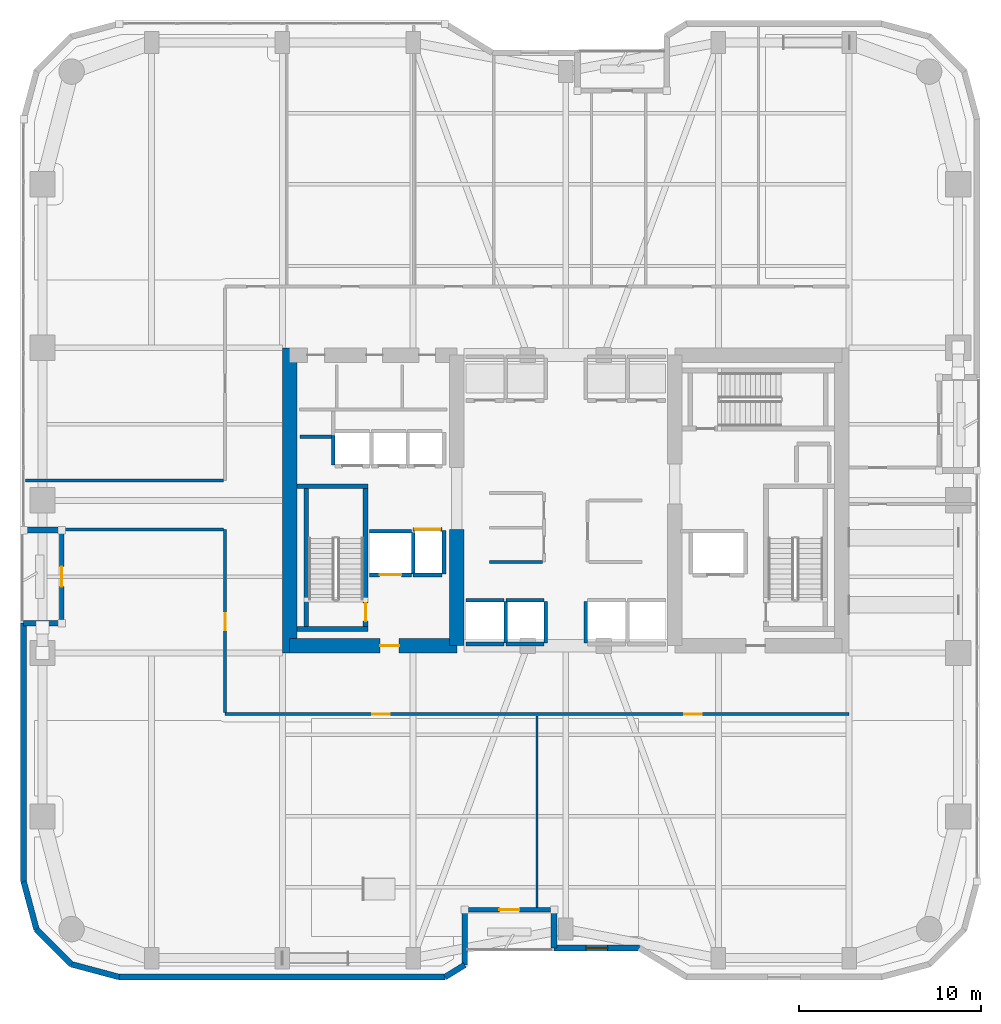
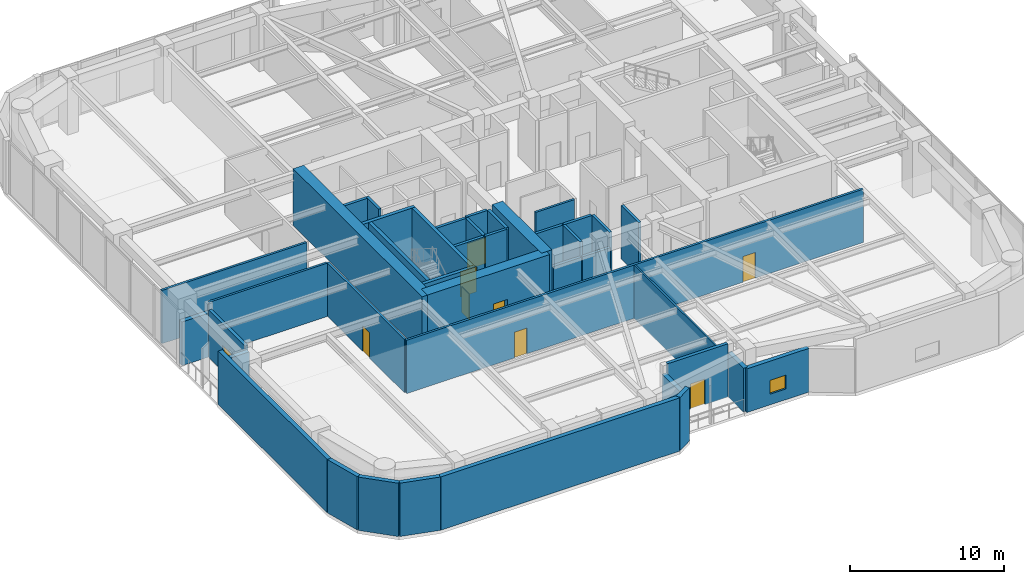
# One storey, part 14 of 23: 41 walls, 9 doors, 1 window, 10 openings.
"""IFC4 building model written with IfcOpenShell, lengths in metres."""

from ifc_helpers import new_model, si_unit, direction, frame, frame_2d, origin, place, context, subcontext, project, spatial, rectangle, extrude, material, layer, layer_set, type_object, element, fill, save


model = new_model("IFC4")

# Units and contexts
model_context = context("Model", 3, precision=1e-05, world=origin(), true_north=direction((0.0, 1.0)))
body_context = subcontext(model_context, "Body", "Model", "MODEL_VIEW")
ifc_project = project(units=[si_unit("LENGTHUNIT", "METRE"), si_unit("AREAUNIT", "SQUARE_METRE"), si_unit("VOLUMEUNIT", "CUBIC_METRE"), si_unit("PLANEANGLEUNIT", "RADIAN"), si_unit("MASSUNIT", "GRAM", prefix="KILO")], contexts=[model_context])

# Site, building, storey
site_placement = place(None, origin())
site = spatial("IfcSite", under=ifc_project, at=site_placement, CompositionType="ELEMENT")
building_placement = place(site_placement, origin())
building = spatial("IfcBuilding", under=site, at=building_placement, Name="Kiyonajd Concourse Tower", CompositionType="ELEMENT")
storey_placement = place(building_placement, frame((0.0, 0.0, 120.89990234375)))
storey = spatial("IfcBuildingStorey", under=building, at=storey_placement, Name="L31", CompositionType="ELEMENT", Elevation=120.89990234375)

# Walls
ifc_material_1 = material(Name="Concrete C70/85", Category="concrete")
ifc_layer_1 = layer(ifc_material_1, 0.800048828125)
ifc_layer_set_1 = layer_set([ifc_layer_1], Name="Concrete C70/85")
wall_type_1 = type_object("IfcWallType", Name="WL-CORE-800", PredefinedType="SHEAR", material=ifc_layer_set_1)
wall_1_placement = place(storey_placement, frame((32.800048828125, 27.60009765625, 0.0), z_axis=(0.0, 0.0, 1.0), x_axis=(0.0, 1.0, 0.0)))
element("IfcWall", 1, at=wall_1_placement, inside=storey, type_object=wall_type_1, Name="L31 West Core Outer Shear Wall", PredefinedType="SHEAR", context=body_context, shape_type="SweptSolid", body=[
    extrude(rectangle(XDim=16.7998046875, YDim=0.800048828125, at=frame_2d((8.39990234375, 0.0))), origin(), (0.0, 0.0, 1.0), 4.5),
])
wall_2_placement = place(storey_placement, frame((42.0, 28.0, 0.0), z_axis=(0.0, 0.0, 1.0), x_axis=(0.0, 1.0, 0.0)))
element("IfcWall", 2, at=wall_2_placement, inside=storey, type_object=wall_type_1, Name="L31 West Core Inner South Shear Wall", PredefinedType="SHEAR", context=body_context, shape_type="SweptSolid", body=[
    extrude(rectangle(XDim=6.39990234375, YDim=0.800048828125, at=frame_2d((3.199951171875, 0.0))), origin(), (0.0, 0.0, 1.0), 4.5),
])

# Wall, opening, door
wall_3_placement = place(storey_placement, frame((32.800048828125, 28.0, 0.0), z_axis=(0.0, 0.0, 1.0), x_axis=(1.0, 0.0, 0.0)))
wall_3 = element("IfcWall", 3, at=wall_3_placement, inside=storey, type_object=wall_type_1, Name="L31 West Core South Shear Wall", PredefinedType="SHEAR", context=body_context, shape_type="SweptSolid", body=[
    extrude(rectangle(XDim=9.199951171875, YDim=0.800048828125, at=frame_2d((4.60009765625, 0.0))), origin(), (0.0, 0.0, 1.0), 4.5),
])
opening_1_placement = place(wall_3_placement, frame((4.97509765625, 0.0, 0.0)))
opening_1 = element("IfcOpeningElement", 4, at=opening_1_placement, cuts=wall_3, Name="Opening DF5", PredefinedType="OPENING", context=body_context, shape_type="SweptSolid", body=[
    extrude(rectangle(XDim=1.050048828125, YDim=2.0400390625, at=frame_2d((0.52490234375, 1.02001953125))), frame((0.0, 0.409912109375, 0.0), z_axis=(0.0, -1.0, 0.0), x_axis=(1.0, 0.0, 0.0)), (0.0, 0.0, 1.0), 0.820068359375),
])
ifc_material_2 = material(Name="Brushed Stainless Steel Cab Assembly", Category="steel")
door_type_1 = type_object("IfcDoorType", Name="DR-FD45-1050", OperationType="NOTDEFINED", PredefinedType="DOOR", material=ifc_material_2)
door_1_placement = place(opening_1_placement, origin())
door_1 = element("IfcDoor", 5, at=door_1_placement, inside=storey, type_object=door_type_1, Name="L31 Firefighting Lift Lobby W Smoke Door", OperationType="SINGLE_SWING_LEFT", OverallHeight=2.0400390625, OverallWidth=1.050048828125, PredefinedType="DOOR", context=body_context, shape_type="SweptSolid", body=[
    extrude(rectangle(XDim=1.050048828125, YDim=2.0400390625, at=frame_2d((0.52490234375, 1.02001953125))), frame((0.0, 0.02490234375, 0.0), z_axis=(0.0, -1.0, 0.0), x_axis=(1.0, 0.0, 0.0)), (0.0, 0.0, 1.0), 0.050048828125),
])
fill(opening_1, door_1)

# Walls
ifc_material_3 = material(Name="Precast concrete C50/60", Category="concrete")
ifc_layer_2 = layer(ifc_material_3, 0.320068359375)
ifc_layer_set_2 = layer_set([ifc_layer_2], Name="Precast concrete C50/60")
wall_type_2 = type_object("IfcWallType", Name="WL-EXT-320", PredefinedType="SOLIDWALL", material=ifc_layer_set_2)
wall_4_placement = place(storey_placement, frame((18.866455078125, 12.3828125, 0.0), z_axis=(0.0, 0.0, 1.0), x_axis=(-0.25869736047, 0.965958423373, 0.0)))
element("IfcWall", 6, at=wall_4_placement, inside=storey, type_object=wall_type_2, Name="L31 Exterior Concrete Frame Wall 00", PredefinedType="SOLIDWALL", context=body_context, shape_type="SweptSolid", body=[
    extrude(rectangle(XDim=2.731201171875, YDim=0.320068359375, at=frame_2d((1.36572265625, 0.0))), origin(), (0.0, 0.0, 1.0), 4.239990234375),
])
wall_5_placement = place(storey_placement, frame((18.159912109375, 15.02099609375, 0.0), z_axis=(0.0, 0.0, 1.0), x_axis=(0.0, 1.0, 0.0)))
element("IfcWall", 7, at=wall_5_placement, inside=storey, type_object=wall_type_2, Name="L31 Exterior Concrete Frame Wall 01", PredefinedType="SOLIDWALL", context=body_context, shape_type="SweptSolid", body=[
    extrude(rectangle(XDim=14.218994140625, YDim=0.320068359375, at=frame_2d((7.109375, 0.0))), origin(), (0.0, 0.0, 1.0), 4.239990234375),
])
for number, where, z_axis, x_axis, name in (
    (8, (18.159912109375, 29.239990234375, 0.0), (0.0, 0.0, 1.0), (1.0, 0.0, 0.0), "L31 Exterior Concrete Frame Wall 02"),
    (9, (20.260009765625, 34.360107421875, 0.0), (0.0, 0.0, 1.0), (-1.0, 0.0, 0.0), "L31 Exterior Concrete Frame Wall 04"),
):
    element("IfcWall", number, at=place(storey_placement, frame(where, z_axis=z_axis, x_axis=x_axis)), inside=storey, type_object=wall_type_2, Name=name, PredefinedType="SOLIDWALL", context=body_context, shape_type="SweptSolid", body=[
        extrude(rectangle(XDim=2.10009765625, YDim=0.320068359375, at=frame_2d((1.050048828125, 0.0))), origin(), (0.0, 0.0, 1.0), 3.47509765625),
    ])

# Wall, opening, window
wall_6_placement = place(storey_placement, frame((52.04541015625, 11.360107421875, 0.0), z_axis=(0.0, 0.0, 1.0), x_axis=(-1.0, 0.0, 0.0)))
wall_6 = element("IfcWall", 10, at=wall_6_placement, inside=storey, type_object=wall_type_2, Name="L31 Exterior Concrete Frame Wall 30", PredefinedType="SOLIDWALL", context=body_context, shape_type="SweptSolid", body=[
    extrude(rectangle(XDim=4.685302734375, YDim=0.320068359375, at=frame_2d((2.3427734375, 0.0))), origin(), (0.0, 0.0, 1.0), 3.47509765625),
])
opening_2_placement = place(wall_6_placement, frame((1.742919921875, 0.0, 0.85009765625)))
opening_2 = element("IfcOpeningElement", 11, at=opening_2_placement, cuts=wall_6, Name="Opening WN3", PredefinedType="OPENING", context=body_context, shape_type="SweptSolid", body=[
    extrude(rectangle(XDim=1.199951171875, YDim=1.10009765625, at=frame_2d((0.60009765625, 0.550048828125))), frame((0.0, 0.169921875, 0.0), z_axis=(0.0, -1.0, 0.0), x_axis=(1.0, 0.0, 0.0)), (0.0, 0.0, 1.0), 0.340087890625),
])
ifc_material_4 = material(Name="Double Low-E Insulated Glass", Category="glass")
window_type = type_object("IfcWindowType", Name="WN-VIS-1200x1100", PartitioningType="SINGLE_PANEL", PredefinedType="WINDOW", material=ifc_material_4)
window_placement = place(opening_2_placement, origin())
window = element("IfcWindow", 12, at=window_placement, inside=storey, type_object=window_type, Name="L31 Modular Facade Vision Window 30", OverallHeight=1.10009765625, OverallWidth=1.199951171875, PartitioningType="SINGLE_PANEL", PredefinedType="WINDOW", context=body_context, shape_type="SweptSolid", body=[
    extrude(rectangle(XDim=1.199951171875, YDim=1.10009765625, at=frame_2d((0.60009765625, 0.550048828125))), frame((0.0, 0.030029296875, 0.0), z_axis=(0.0, -1.0, 0.0), x_axis=(1.0, 0.0, 0.0)), (0.0, 0.0, 1.0), 0.06005859375),
])
fill(opening_2, window)

# Walls
wall_7_placement = place(storey_placement, frame((47.360107421875, 11.360107421875, 0.0), z_axis=(0.0, 0.0, 1.0), x_axis=(0.0, 1.0, 0.0)))
element("IfcWall", 13, at=wall_7_placement, inside=storey, type_object=wall_type_2, Name="L31 Exterior Concrete Frame Wall 31", PredefinedType="SOLIDWALL", context=body_context, shape_type="SweptSolid", body=[
    extrude(rectangle(XDim=2.099853515625, YDim=0.320068359375, at=frame_2d((1.0498046875, 0.0))), origin(), (0.0, 0.0, 1.0), 3.47509765625),
])
wall_8_placement = place(storey_placement, frame((42.43994140625, 13.4599609375, 0.0), z_axis=(0.0, 0.0, 1.0), x_axis=(0.0, -1.0, 0.0)))
element("IfcWall", 14, at=wall_8_placement, inside=storey, type_object=wall_type_2, Name="L31 Exterior Concrete Frame Wall 33", PredefinedType="SOLIDWALL", context=body_context, shape_type="SweptSolid", body=[
    extrude(rectangle(XDim=3.032470703125, YDim=0.320068359375, at=frame_2d((1.51611328125, 0.0))), origin(), (0.0, 0.0, 1.0), 3.47509765625),
])
wall_9_placement = place(storey_placement, frame((42.43994140625, 10.427490234375, 0.0), z_axis=(0.0, 0.0, 1.0), x_axis=(-0.851776724646, -0.523904964045, 0.0)))
element("IfcWall", 15, at=wall_9_placement, inside=storey, type_object=wall_type_2, Name="L31 Exterior Concrete Frame Wall 34", PredefinedType="SOLIDWALL", context=body_context, shape_type="SweptSolid", body=[
    extrude(rectangle(XDim=1.274169921875, YDim=0.320068359375, at=frame_2d((0.63720703125, 0.0))), origin(), (0.0, 0.0, 1.0), 4.239990234375),
])
wall_10_placement = place(storey_placement, frame((41.354736328125, 9.760009765625, 0.0), z_axis=(0.0, 0.0, 1.0), x_axis=(-1.0, 0.0, 0.0)))
element("IfcWall", 16, at=wall_10_placement, inside=storey, type_object=wall_type_2, Name="L31 Exterior Concrete Frame Wall 35", PredefinedType="SOLIDWALL", context=body_context, shape_type="SweptSolid", body=[
    extrude(rectangle(XDim=17.93359375, YDim=0.320068359375, at=frame_2d((8.966796875, 0.0))), origin(), (0.0, 0.0, 1.0), 4.239990234375),
])
wall_11_placement = place(storey_placement, frame((23.421142578125, 9.760009765625, 0.0), z_axis=(0.0, 0.0, 1.0), x_axis=(-0.965964405026, 0.25867502435, 0.0)))
element("IfcWall", 17, at=wall_11_placement, inside=storey, type_object=wall_type_2, Name="L31 Exterior Concrete Frame Wall 36", PredefinedType="SOLIDWALL", context=body_context, shape_type="SweptSolid", body=[
    extrude(rectangle(XDim=2.7314453125, YDim=0.320068359375, at=frame_2d((1.36572265625, 0.0))), origin(), (0.0, 0.0, 1.0), 4.239990234375),
])
wall_12_placement = place(storey_placement, frame((20.78271484375, 10.466552734375, 0.0), z_axis=(0.0, 0.0, 1.0), x_axis=(-0.707106781187, 0.707106781187, 0.0)))
element("IfcWall", 18, at=wall_12_placement, inside=storey, type_object=wall_type_2, Name="L31 Exterior Concrete Frame Wall 37", PredefinedType="SOLIDWALL", context=body_context, shape_type="SweptSolid", body=[
    extrude(rectangle(XDim=2.7099609375, YDim=0.320068359375, at=frame_2d((1.35498046875, 0.0))), origin(), (0.0, 0.0, 1.0), 4.239990234375),
])

# Wall, opening, door
ifc_layer_3 = layer(ifc_material_3, 0.239990234375)
ifc_layer_set_3 = layer_set([ifc_layer_3], Name="Precast concrete C50/60")
wall_type_3 = type_object("IfcWallType", Name="WL-LOG-240", PredefinedType="SOLIDWALL", material=ifc_layer_set_3)
wall_13_placement = place(storey_placement, frame((20.260009765625, 29.43505859375, 0.0), z_axis=(0.0, 0.0, 1.0), x_axis=(0.0, 1.0, 0.0)))
wall_13 = element("IfcWall", 19, at=wall_13_placement, inside=storey, type_object=wall_type_3, Name="L31 Recessed Loggia Thermal Wall LOG-W", PredefinedType="SOLIDWALL", context=body_context, shape_type="SweptSolid", body=[
    extrude(rectangle(XDim=4.72998046875, YDim=0.239990234375, at=frame_2d((2.364990234375, 0.0))), origin(), (0.0, 0.0, 1.0), 3.76220703125),
])
opening_3_placement = place(wall_13_placement, frame((1.81494140625, 0.0, 0.0)))
opening_3 = element("IfcOpeningElement", 20, at=opening_3_placement, cuts=wall_13, Name="Opening DL2", PredefinedType="OPENING", context=body_context, shape_type="SweptSolid", body=[
    extrude(rectangle(XDim=1.10009765625, YDim=2.0400390625, at=frame_2d((0.550048828125, 1.02001953125))), frame((0.0, 0.1298828125, 0.0), z_axis=(0.0, -1.0, 0.0), x_axis=(1.0, 0.0, 0.0)), (0.0, 0.0, 1.0), 0.260009765625),
])
ifc_material_5 = material(Name="Thermally Broken Anodised Aluminium", Category="aluminium")
door_type_2 = type_object("IfcDoorType", Name="DR-LOG-1100", OperationType="NOTDEFINED", PredefinedType="DOOR", material=ifc_material_5)
door_2_placement = place(opening_3_placement, origin())
door_2 = element("IfcDoor", 21, at=door_2_placement, inside=storey, type_object=door_type_2, Name="L31 Engawa Loggia Access Door LOG-W", OperationType="SINGLE_SWING_LEFT", OverallHeight=2.0400390625, OverallWidth=1.10009765625, PredefinedType="DOOR", context=body_context, shape_type="SweptSolid", body=[
    extrude(rectangle(XDim=1.10009765625, YDim=2.0400390625, at=frame_2d((0.550048828125, 1.02001953125))), frame((0.0, 0.02490234375, 0.0), z_axis=(0.0, -1.0, 0.0), x_axis=(1.0, 0.0, 0.0)), (0.0, 0.0, 1.0), 0.050048828125),
])
fill(opening_3, door_2)

wall_14_placement = place(storey_placement, frame((47.1650390625, 13.4599609375, 0.0), z_axis=(0.0, 0.0, 1.0), x_axis=(-1.0, 0.0, 0.0)))
wall_14 = element("IfcWall", 22, at=wall_14_placement, inside=storey, type_object=wall_type_3, Name="L31 Recessed Loggia Thermal Wall LOG-S", PredefinedType="SOLIDWALL", context=body_context, shape_type="SweptSolid", body=[
    extrude(rectangle(XDim=4.530029296875, YDim=0.239990234375, at=frame_2d((2.26513671875, 0.0))), origin(), (0.0, 0.0, 1.0), 4.239990234375),
])
opening_4_placement = place(wall_14_placement, frame((1.715087890625, 0.0, 0.0)))
opening_4 = element("IfcOpeningElement", 23, at=opening_4_placement, cuts=wall_14, Name="Opening DL2", PredefinedType="OPENING", context=body_context, shape_type="SweptSolid", body=[
    extrude(rectangle(XDim=1.10009765625, YDim=2.0400390625, at=frame_2d((0.550048828125, 1.02001953125))), frame((0.0, 0.1298828125, 0.0), z_axis=(0.0, -1.0, 0.0), x_axis=(1.0, 0.0, 0.0)), (0.0, 0.0, 1.0), 0.260009765625),
])
door_3_placement = place(opening_4_placement, origin())
door_3 = element("IfcDoor", 24, at=door_3_placement, inside=storey, type_object=door_type_2, Name="L31 Engawa Loggia Access Door LOG-S", OperationType="SINGLE_SWING_RIGHT", OverallHeight=2.0400390625, OverallWidth=1.10009765625, PredefinedType="DOOR", context=body_context, shape_type="SweptSolid", body=[
    extrude(rectangle(XDim=1.10009765625, YDim=2.0400390625, at=frame_2d((0.550048828125, 1.02001953125))), frame((0.0, 0.02490234375, 0.0), z_axis=(0.0, -1.0, 0.0), x_axis=(1.0, 0.0, 0.0)), (0.0, 0.0, 1.0), 0.050048828125),
])
fill(opening_4, door_3)

# Walls
ifc_material_6 = material(Name="Gypsum Board on Cold-Formed Steel Stud", Category="steel")
ifc_layer_4 = layer(ifc_material_6, 0.125)
ifc_layer_set_4 = layer_set([ifc_layer_4], Name="Gypsum Board on Cold-Formed Steel Stud")
wall_type_4 = type_object("IfcWallType", Name="WL-PART-125", PredefinedType="PARTITIONING", material=ifc_layer_set_4)
wall_15_placement = place(storey_placement, frame((46.419921875, 13.574951171875, 0.0), z_axis=(0.0, 0.0, 1.0), x_axis=(0.0, 1.0, 0.0)))
element("IfcWall", 25, at=wall_15_placement, inside=storey, type_object=wall_type_4, Name="L31 Interior Partition Wall", PredefinedType="PARTITIONING", context=body_context, shape_type="SweptSolid", body=[
    extrude(rectangle(XDim=10.568115234375, YDim=0.125, at=frame_2d((5.2841796875, 0.0))), origin(), (0.0, 0.0, 1.0), 4.239990234375),
])
ifc_layer_5 = layer(ifc_material_6, 0.2099609375)
ifc_layer_set_5 = layer_set([ifc_layer_5], Name="Gypsum Board on Cold-Formed Steel Stud")
wall_type_5 = type_object("IfcWallType", Name="WL-SHAFT-210", PredefinedType="PARTITIONING", material=ifc_layer_set_5)
wall_16_placement = place(storey_placement, frame((33.360107421875, 39.5, 0.0), z_axis=(0.0, 0.0, 1.0), x_axis=(1.0, 0.0, 0.0)))
element("IfcWall", 26, at=wall_16_placement, inside=storey, type_object=wall_type_5, Name="L31 Shaft Enclosure Wall", PredefinedType="PARTITIONING", context=body_context, shape_type="SweptSolid", body=[
    extrude(rectangle(XDim=1.85986328125, YDim=0.2099609375, at=frame_2d((0.929931640625, 0.0))), origin(), (0.0, 0.0, 1.0), 4.239990234375),
])

# Wall, opening, door
wall_17_placement = place(storey_placement, frame((37.199951171875, 31.89990234375, 0.0), z_axis=(0.0, 0.0, 1.0), x_axis=(1.0, 0.0, 0.0)))
wall_17 = element("IfcWall", 27, at=wall_17_placement, inside=storey, type_object=wall_type_5, Name="L31 Shaft Enclosure Wall", PredefinedType="PARTITIONING", context=body_context, shape_type="SweptSolid", body=[
    extrude(rectangle(XDim=2.300048828125, YDim=0.2099609375, at=frame_2d((1.14990234375, 0.0))), origin(), (0.0, 0.0, 1.0), 4.239990234375),
])
opening_5_placement = place(wall_17_placement, frame((0.550048828125, 0.0, 0.0)))
opening_5 = element("IfcOpeningElement", 28, at=opening_5_placement, cuts=wall_17, Name="Opening LD2", PredefinedType="OPENING", context=body_context, shape_type="SweptSolid", body=[
    extrude(rectangle(XDim=1.199951171875, YDim=2.0400390625, at=frame_2d((0.60009765625, 1.02001953125))), frame((0.0, 0.114990234375, 0.0), z_axis=(0.0, -1.0, 0.0), x_axis=(1.0, 0.0, 0.0)), (0.0, 0.0, 1.0), 0.22998046875),
])
door_type_3 = type_object("IfcDoorType", Name="DR-LD-1200", OperationType="DOUBLE_DOOR_SLIDING", PredefinedType="DOOR", material=ifc_material_2)
door_4_placement = place(opening_5_placement, origin())
door_4 = element("IfcDoor", 29, at=door_4_placement, inside=storey, type_object=door_type_3, Name="L31 Lift FFL1 Sliding Landing Door", OperationType="DOUBLE_DOOR_SLIDING", OverallHeight=2.0400390625, OverallWidth=1.199951171875, PredefinedType="DOOR", context=body_context, shape_type="SweptSolid", body=[
    extrude(rectangle(XDim=1.199951171875, YDim=2.0400390625, at=frame_2d((0.60009765625, 1.02001953125))), frame((0.0, 0.02490234375, 0.0), z_axis=(0.0, -1.0, 0.0), x_axis=(1.0, 0.0, 0.0)), (0.0, 0.0, 1.0), 0.050048828125),
])
fill(opening_5, door_4)

# Walls
wall_18_placement = place(storey_placement, frame((37.199951171875, 34.300048828125, 0.0), z_axis=(0.0, 0.0, 1.0), x_axis=(1.0, 0.0, 0.0)))
element("IfcWall", 30, at=wall_18_placement, inside=storey, type_object=wall_type_5, Name="L31 Shaft Enclosure Wall", PredefinedType="PARTITIONING", context=body_context, shape_type="SweptSolid", body=[
    extrude(rectangle(XDim=2.300048828125, YDim=0.2099609375, at=frame_2d((1.14990234375, 0.0))), origin(), (0.0, 0.0, 1.0), 4.239990234375),
])
wall_19_placement = place(storey_placement, frame((39.60009765625, 31.9599609375, 0.0), z_axis=(0.0, 0.0, 1.0), x_axis=(0.0, 1.0, 0.0)))
element("IfcWall", 31, at=wall_19_placement, inside=storey, type_object=wall_type_5, Name="L31 Shaft Enclosure Wall", PredefinedType="PARTITIONING", context=body_context, shape_type="SweptSolid", body=[
    extrude(rectangle(XDim=2.280029296875, YDim=0.2099609375, at=frame_2d((1.14013671875, 0.0))), origin(), (0.0, 0.0, 1.0), 4.239990234375),
])

# Wall, opening, door
wall_20_placement = place(storey_placement, frame((39.60009765625, 34.39990234375, 0.0), z_axis=(0.0, 0.0, 1.0), x_axis=(1.0, 0.0, 0.0)))
wall_20 = element("IfcWall", 32, at=wall_20_placement, inside=storey, type_object=wall_type_5, Name="L31 Shaft Enclosure Wall", PredefinedType="PARTITIONING", context=body_context, shape_type="SweptSolid", body=[
    extrude(rectangle(XDim=1.599853515625, YDim=0.2099609375, at=frame_2d((0.7998046875, 0.0))), origin(), (0.0, 0.0, 1.0), 4.239990234375),
])
opening_6_placement = place(wall_20_placement, frame((0.10009765625, 0.0, 0.0)))
opening_6 = element("IfcOpeningElement", 33, at=opening_6_placement, cuts=wall_20, Name="Opening LD3", PredefinedType="OPENING", context=body_context, shape_type="SweptSolid", body=[
    extrude(rectangle(XDim=1.39990234375, YDim=2.06005859375, at=frame_2d((0.699951171875, 1.030029296875))), frame((0.0, 0.114990234375, 0.0), z_axis=(0.0, -1.0, 0.0), x_axis=(1.0, 0.0, 0.0)), (0.0, 0.0, 1.0), 0.22998046875),
])
door_type_4 = type_object("IfcDoorType", Name="DR-LD-1400", OperationType="DOUBLE_DOOR_SLIDING", PredefinedType="DOOR", material=ifc_material_2)
door_5_placement = place(opening_6_placement, origin())
door_5 = element("IfcDoor", 34, at=door_5_placement, inside=storey, type_object=door_type_4, Name="L31 Lift SVL1 Sliding Landing Door", OperationType="DOUBLE_DOOR_SLIDING", OverallHeight=2.06005859375, OverallWidth=1.39990234375, PredefinedType="DOOR", context=body_context, shape_type="SweptSolid", body=[
    extrude(rectangle(XDim=1.39990234375, YDim=2.06005859375, at=frame_2d((0.699951171875, 1.030029296875))), frame((0.0, 0.02490234375, 0.0), z_axis=(0.0, -1.0, 0.0), x_axis=(1.0, 0.0, 0.0)), (0.0, 0.0, 1.0), 0.050048828125),
])
fill(opening_6, door_5)

# Walls
wall_21_placement = place(storey_placement, frame((39.60009765625, 31.89990234375, 0.0), z_axis=(0.0, 0.0, 1.0), x_axis=(1.0, 0.0, 0.0)))
element("IfcWall", 35, at=wall_21_placement, inside=storey, type_object=wall_type_5, Name="L31 Shaft Enclosure Wall", PredefinedType="PARTITIONING", context=body_context, shape_type="SweptSolid", body=[
    extrude(rectangle(XDim=1.599853515625, YDim=0.2099609375, at=frame_2d((0.7998046875, 0.0))), origin(), (0.0, 0.0, 1.0), 4.239990234375),
])
wall_22_placement = place(storey_placement, frame((41.300048828125, 31.9599609375, 0.0), z_axis=(0.0, 0.0, 1.0), x_axis=(0.0, 1.0, 0.0)))
element("IfcWall", 36, at=wall_22_placement, inside=storey, type_object=wall_type_5, Name="L31 Shaft Enclosure Wall", PredefinedType="PARTITIONING", context=body_context, shape_type="SweptSolid", body=[
    extrude(rectangle(XDim=2.380126953125, YDim=0.2099609375, at=frame_2d((1.18994140625, 0.0))), origin(), (0.0, 0.0, 1.0), 4.239990234375),
])
wall_23_placement = place(storey_placement, frame((42.5, 30.5, 0.0), z_axis=(0.0, 0.0, 1.0), x_axis=(1.0, 0.0, 0.0)))
element("IfcWall", 37, at=wall_23_placement, inside=storey, type_object=wall_type_5, Name="L31 Shaft Enclosure Wall", PredefinedType="PARTITIONING", context=body_context, shape_type="SweptSolid", body=[
    extrude(rectangle(XDim=2.10009765625, YDim=0.2099609375, at=frame_2d((1.050048828125, 0.0))), origin(), (0.0, 0.0, 1.0), 4.239990234375),
])
wall_24_placement = place(storey_placement, frame((42.5, 28.10009765625, 0.0), z_axis=(0.0, 0.0, 1.0), x_axis=(1.0, 0.0, 0.0)))
element("IfcWall", 38, at=wall_24_placement, inside=storey, type_object=wall_type_5, Name="L31 Shaft Enclosure Wall", PredefinedType="PARTITIONING", context=body_context, shape_type="SweptSolid", body=[
    extrude(rectangle(XDim=2.10009765625, YDim=0.2099609375, at=frame_2d((1.050048828125, 0.0))), origin(), (0.0, 0.0, 1.0), 3.125),
])
wall_25_placement = place(storey_placement, frame((44.699951171875, 28.159912109375, 0.0), z_axis=(0.0, 0.0, 1.0), x_axis=(0.0, 1.0, 0.0)))
element("IfcWall", 39, at=wall_25_placement, inside=storey, type_object=wall_type_5, Name="L31 Shaft Enclosure Wall", PredefinedType="PARTITIONING", context=body_context, shape_type="SweptSolid", body=[
    extrude(rectangle(XDim=2.280029296875, YDim=0.2099609375, at=frame_2d((1.14013671875, 0.0))), origin(), (0.0, 0.0, 1.0), 4.239990234375),
])
wall_26_placement = place(storey_placement, frame((44.699951171875, 30.5, 0.0), z_axis=(0.0, 0.0, 1.0), x_axis=(1.0, 0.0, 0.0)))
element("IfcWall", 40, at=wall_26_placement, inside=storey, type_object=wall_type_5, Name="L31 Shaft Enclosure Wall", PredefinedType="PARTITIONING", context=body_context, shape_type="SweptSolid", body=[
    extrude(rectangle(XDim=2.10009765625, YDim=0.2099609375, at=frame_2d((1.050048828125, 0.0))), origin(), (0.0, 0.0, 1.0), 4.239990234375),
])
wall_27_placement = place(storey_placement, frame((44.699951171875, 28.10009765625, 0.0), z_axis=(0.0, 0.0, 1.0), x_axis=(1.0, 0.0, 0.0)))
element("IfcWall", 41, at=wall_27_placement, inside=storey, type_object=wall_type_5, Name="L31 Shaft Enclosure Wall", PredefinedType="PARTITIONING", context=body_context, shape_type="SweptSolid", body=[
    extrude(rectangle(XDim=2.10009765625, YDim=0.2099609375, at=frame_2d((1.050048828125, 0.0))), origin(), (0.0, 0.0, 1.0), 3.125),
])
for number, where, z_axis, x_axis, name in (
    (42, (46.89990234375, 28.159912109375, 0.0), (0.0, 0.0, 1.0), (0.0, 1.0, 0.0), "L31 Shaft Enclosure Wall"),
    (43, (49.10009765625, 28.159912109375, 0.0), (0.0, 0.0, 1.0), (0.0, 1.0, 0.0), "L31 Shaft Enclosure Wall"),
):
    element("IfcWall", number, at=place(storey_placement, frame(where, z_axis=z_axis, x_axis=x_axis)), inside=storey, type_object=wall_type_5, Name=name, PredefinedType="PARTITIONING", context=body_context, shape_type="SweptSolid", body=[
        extrude(rectangle(XDim=2.280029296875, YDim=0.2099609375, at=frame_2d((1.14013671875, 0.0))), origin(), (0.0, 0.0, 1.0), 4.239990234375),
    ])
wall_28_placement = place(storey_placement, frame((35.199951171875, 37.9599609375, 0.0), z_axis=(0.0, 0.0, 1.0), x_axis=(0.0, 1.0, 0.0)))
element("IfcWall", 44, at=wall_28_placement, inside=storey, type_object=wall_type_5, Name="L31 Shaft Enclosure Wall", PredefinedType="PARTITIONING", context=body_context, shape_type="SweptSolid", body=[
    extrude(rectangle(XDim=1.6201171875, YDim=0.2099609375, at=frame_2d((0.81005859375, 0.0))), origin(), (0.0, 0.0, 1.0), 4.239990234375),
])
ifc_layer_6 = layer(ifc_material_6, 0.169921875)
ifc_layer_set_6 = layer_set([ifc_layer_6], Name="Gypsum Board on Cold-Formed Steel Stud")
wall_type_6 = type_object("IfcWallType", Name="WL-SMK-170", PredefinedType="PARTITIONING", material=ifc_layer_set_6)
wall_29_placement = place(storey_placement, frame((43.800048828125, 32.60009765625, 0.0), z_axis=(0.0, 0.0, 1.0), x_axis=(1.0, 0.0, 0.0)))
element("IfcWall", 45, at=wall_29_placement, inside=storey, type_object=wall_type_6, Name="L31 Interior Partition Wall", PredefinedType="PARTITIONING", context=body_context, shape_type="SweptSolid", body=[
    extrude(rectangle(XDim=2.912841796875, YDim=0.169921875, at=frame_2d((1.45654296875, 0.0))), origin(), (0.0, 0.0, 1.0), 4.239990234375),
])

# Wall, openings, doors
wall_30_placement = place(storey_placement, frame((29.25, 24.22998046875, 0.0), z_axis=(0.0, 0.0, 1.0), x_axis=(1.0, 0.0, 0.0)))
wall_30 = element("IfcWall", 46, at=wall_30_placement, inside=storey, type_object=wall_type_6, Name="L31 Interior Partition Wall", PredefinedType="PARTITIONING", context=body_context, shape_type="SweptSolid", body=[
    extrude(rectangle(XDim=34.35009765625, YDim=0.169921875, at=frame_2d((17.175048828125, 0.0))), origin(), (0.0, 0.0, 1.0), 4.239990234375),
])
opening_7_placement = place(wall_30_placement, frame((8.110107421875, 0.0, 0.0)))
opening_7 = element("IfcOpeningElement", 47, at=opening_7_placement, cuts=wall_30, Name="Opening DI1", PredefinedType="OPENING", context=body_context, shape_type="SweptSolid", body=[
    extrude(rectangle(XDim=0.949951171875, YDim=2.0400390625, at=frame_2d((0.47509765625, 1.02001953125))), frame((0.0, 0.094970703125, 0.0), z_axis=(0.0, -1.0, 0.0), x_axis=(1.0, 0.0, 0.0)), (0.0, 0.0, 1.0), 0.18994140625),
])
opening_8_placement = place(wall_30_placement, frame((25.284912109375, 0.0, 0.0)))
opening_8 = element("IfcOpeningElement", 48, at=opening_8_placement, cuts=wall_30, Name="Opening DI1", PredefinedType="OPENING", context=body_context, shape_type="SweptSolid", body=[
    extrude(rectangle(XDim=0.949951171875, YDim=2.0400390625, at=frame_2d((0.47509765625, 1.02001953125))), frame((0.0, 0.094970703125, 0.0), z_axis=(0.0, -1.0, 0.0), x_axis=(1.0, 0.0, 0.0)), (0.0, 0.0, 1.0), 0.18994140625),
])
ifc_material_7 = material(Name="Natural Oak Acoustic Timber Veneer", Category="wood")
door_type_5 = type_object("IfcDoorType", Name="DR-INT-950", OperationType="NOTDEFINED", PredefinedType="DOOR", material=ifc_material_7)
door_6_placement = place(opening_7_placement, origin())
door_6 = element("IfcDoor", 49, at=door_6_placement, inside=storey, type_object=door_type_5, Name="L31 Interior Door", OperationType="SINGLE_SWING_RIGHT", OverallHeight=2.0400390625, OverallWidth=0.949951171875, PredefinedType="DOOR", context=body_context, shape_type="SweptSolid", body=[
    extrude(rectangle(XDim=0.949951171875, YDim=2.0400390625, at=frame_2d((0.47509765625, 1.02001953125))), frame((0.0, 0.02490234375, 0.0), z_axis=(0.0, -1.0, 0.0), x_axis=(1.0, 0.0, 0.0)), (0.0, 0.0, 1.0), 0.050048828125),
])
fill(opening_7, door_6)
door_7_placement = place(opening_8_placement, origin())
door_7 = element("IfcDoor", 50, at=door_7_placement, inside=storey, type_object=door_type_5, Name="L31 Interior Door", OperationType="SINGLE_SWING_LEFT", OverallHeight=2.0400390625, OverallWidth=0.949951171875, PredefinedType="DOOR", context=body_context, shape_type="SweptSolid", body=[
    extrude(rectangle(XDim=0.949951171875, YDim=2.0400390625, at=frame_2d((0.47509765625, 1.02001953125))), frame((0.0, 0.02490234375, 0.0), z_axis=(0.0, -1.0, 0.0), x_axis=(1.0, 0.0, 0.0)), (0.0, 0.0, 1.0), 0.050048828125),
])
fill(opening_8, door_7)

# Wall, opening, door
wall_31_placement = place(storey_placement, frame((29.25, 24.31689453125, 0.0), z_axis=(0.0, 0.0, 1.0), x_axis=(0.0, 1.0, 0.0)))
wall_31 = element("IfcWall", 51, at=wall_31_placement, inside=storey, type_object=wall_type_6, Name="L31 Interior Partition Wall", PredefinedType="PARTITIONING", context=body_context, shape_type="SweptSolid", body=[
    extrude(rectangle(XDim=10.0830078125, YDim=0.169921875, at=frame_2d((5.04150390625, 0.0))), origin(), (0.0, 0.0, 1.0), 4.239990234375),
])
opening_9_placement = place(wall_31_placement, frame((4.52294921875, 0.0, 0.0)))
opening_9 = element("IfcOpeningElement", 52, at=opening_9_placement, cuts=wall_31, Name="Opening DI1", PredefinedType="OPENING", context=body_context, shape_type="SweptSolid", body=[
    extrude(rectangle(XDim=0.949951171875, YDim=2.0400390625, at=frame_2d((0.47509765625, 1.02001953125))), frame((0.0, 0.094970703125, 0.0), z_axis=(0.0, -1.0, 0.0), x_axis=(1.0, 0.0, 0.0)), (0.0, 0.0, 1.0), 0.18994140625),
])
door_8_placement = place(opening_9_placement, origin())
door_8 = element("IfcDoor", 53, at=door_8_placement, inside=storey, type_object=door_type_5, Name="L31 Interior Door", OperationType="SINGLE_SWING_LEFT", OverallHeight=2.0400390625, OverallWidth=0.949951171875, PredefinedType="DOOR", context=body_context, shape_type="SweptSolid", body=[
    extrude(rectangle(XDim=0.949951171875, YDim=2.0400390625, at=frame_2d((0.47509765625, 1.02001953125))), frame((0.0, 0.02490234375, 0.0), z_axis=(0.0, -1.0, 0.0), x_axis=(1.0, 0.0, 0.0)), (0.0, 0.0, 1.0), 0.050048828125),
])
fill(opening_9, door_8)

# Walls
wall_32_placement = place(storey_placement, frame((20.260009765625, 34.39990234375, 0.0), z_axis=(0.0, 0.0, 1.0), x_axis=(1.0, 0.0, 0.0)))
element("IfcWall", 54, at=wall_32_placement, inside=storey, type_object=wall_type_6, Name="L31 Interior Partition Wall", PredefinedType="PARTITIONING", context=body_context, shape_type="SweptSolid", body=[
    extrude(rectangle(XDim=8.903076171875, YDim=0.169921875, at=frame_2d((4.45166015625, 0.0))), origin(), (0.0, 0.0, 1.0), 4.239990234375),
])
wall_33_placement = place(storey_placement, frame((18.264892578125, 37.10009765625, 0.0), z_axis=(0.0, 0.0, 1.0), x_axis=(1.0, 0.0, 0.0)))
element("IfcWall", 55, at=wall_33_placement, inside=storey, type_object=wall_type_6, Name="L31 Interior Partition Wall", PredefinedType="PARTITIONING", context=body_context, shape_type="SweptSolid", body=[
    extrude(rectangle(XDim=10.898193359375, YDim=0.169921875, at=frame_2d((5.44921875, 0.0))), origin(), (0.0, 0.0, 1.0), 4.239990234375),
])
ifc_material_8 = material(Name="Concrete C50/60", Category="concrete")
ifc_layer_7 = layer(ifc_material_8, 0.260009765625)
ifc_layer_set_7 = layer_set([ifc_layer_7], Name="Concrete C50/60")
wall_type_7 = type_object("IfcWallType", Name="WL-STAIR-260", PredefinedType="SHEAR", material=ifc_layer_set_7)
for number, where, z_axis, x_axis, name in (
    (56, (33.199951171875, 28.919921875, 0.0), (0.0, 0.0, 1.0), (1.0, 0.0, 0.0), "L31 Stair ST1 Structural South Wall"),
    (57, (33.199951171875, 36.780029296875, 0.0), (0.0, 0.0, 1.0), (1.0, 0.0, 0.0), "L31 Stair ST1 Structural North Wall"),
):
    element("IfcWall", number, at=place(storey_placement, frame(where, z_axis=z_axis, x_axis=x_axis)), inside=storey, type_object=wall_type_7, Name=name, PredefinedType="SHEAR", context=body_context, shape_type="SweptSolid", body=[
        extrude(rectangle(XDim=3.91015625, YDim=0.260009765625, at=frame_2d((1.955078125, 0.0))), origin(), (0.0, 0.0, 1.0), 4.5),
    ])
wall_34_placement = place(storey_placement, frame((33.719970703125, 29.050048828125, 0.0), z_axis=(0.0, 0.0, 1.0), x_axis=(0.0, 1.0, 0.0)))
element("IfcWall", 58, at=wall_34_placement, inside=storey, type_object=wall_type_7, Name="L31 Stair ST1 Structural West Wall", PredefinedType="SHEAR", context=body_context, shape_type="SweptSolid", body=[
    extrude(rectangle(XDim=7.599853515625, YDim=0.260009765625, at=frame_2d((3.7998046875, 0.0))), origin(), (0.0, 0.0, 1.0), 4.5),
])

# Wall, opening, door
wall_35_placement = place(storey_placement, frame((36.97998046875, 29.050048828125, 0.0), z_axis=(0.0, 0.0, 1.0), x_axis=(0.0, 1.0, 0.0)))
wall_35 = element("IfcWall", 59, at=wall_35_placement, inside=storey, type_object=wall_type_7, Name="L31 Stair ST1 Structural East Wall", PredefinedType="SHEAR", context=body_context, shape_type="SweptSolid", body=[
    extrude(rectangle(XDim=7.599853515625, YDim=0.260009765625, at=frame_2d((3.7998046875, 0.0))), origin(), (0.0, 0.0, 1.0), 4.5),
])
opening_10_placement = place(wall_35_placement, frame((0.300048828125, 0.0, 0.0)))
opening_10 = element("IfcOpeningElement", 60, at=opening_10_placement, cuts=wall_35, Name="Opening DF1", PredefinedType="OPENING", context=body_context, shape_type="SweptSolid", body=[
    extrude(rectangle(XDim=1.0, YDim=2.0400390625, at=frame_2d((0.5, 1.02001953125))), frame((0.0, 0.139892578125, 0.0), z_axis=(0.0, -1.0, 0.0), x_axis=(1.0, 0.0, 0.0)), (0.0, 0.0, 1.0), 0.280029296875),
])
door_type_6 = type_object("IfcDoorType", Name="DR-FD90-1000", OperationType="NOTDEFINED", PredefinedType="DOOR", material=ifc_material_2)
door_9_placement = place(opening_10_placement, origin())
door_9 = element("IfcDoor", 61, at=door_9_placement, inside=storey, type_object=door_type_6, Name="L31 Stair ST1 FSAE Door", OperationType="SINGLE_SWING_LEFT", OverallHeight=2.0400390625, OverallWidth=1.0, PredefinedType="DOOR", context=body_context, shape_type="SweptSolid", body=[
    extrude(rectangle(XDim=1.0, YDim=2.0400390625, at=frame_2d((0.5, 1.02001953125))), frame((0.0, 0.02490234375, 0.0), z_axis=(0.0, -1.0, 0.0), x_axis=(1.0, 0.0, 0.0)), (0.0, 0.0, 1.0), 0.050048828125),
])
fill(opening_10, door_9)

save(model, "model.ifc")
